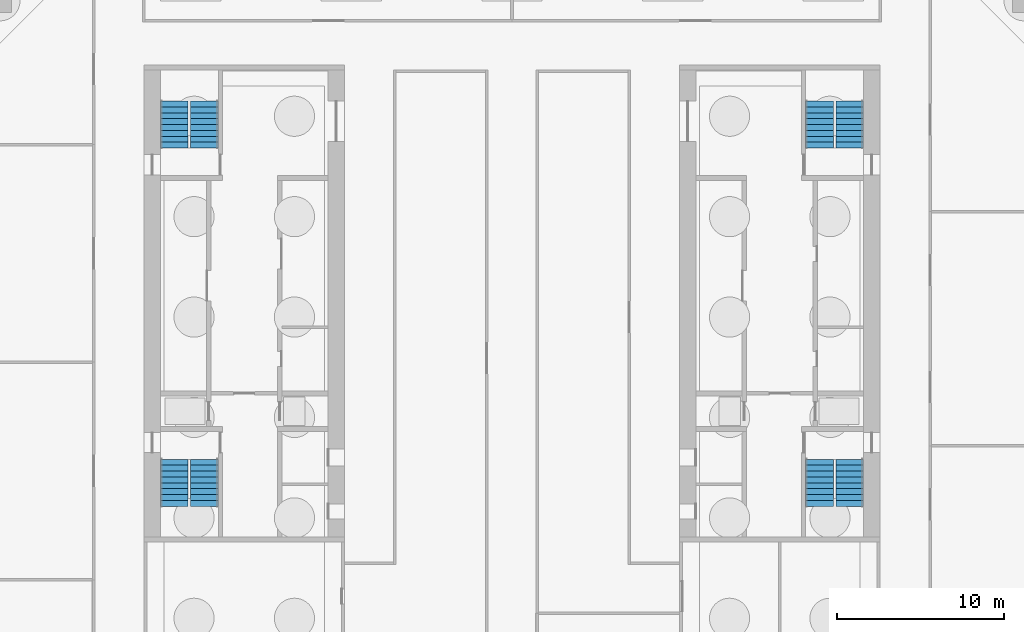
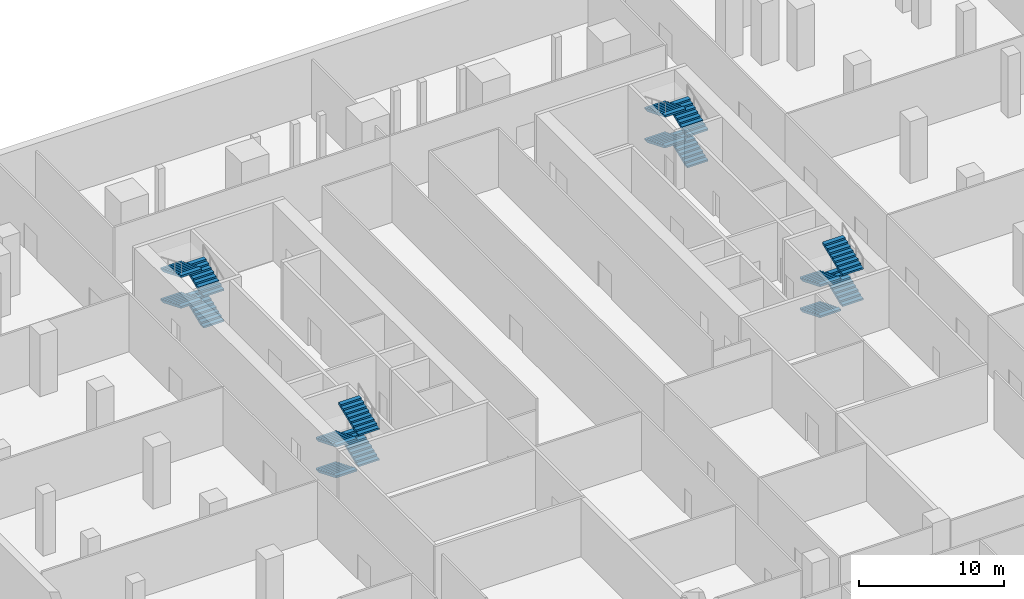
# One storey, part 12 of 14: 16 stair flights, 4 elements without a shape of their own.
"""IFC4 building model written with IfcOpenShell, lengths in metres."""

from ifc_helpers import new_model, si_unit, direction, frame, origin, place, context, subcontext, project, spatial, polyline, outline, extrude, material, type_object, element, aggregate, save


model = new_model("IFC4")

# Units and contexts
model_context = context("Model", 3, precision=1e-05, world=origin(), true_north=direction((0.0, 1.0)))
body_context = subcontext(model_context, "Body", "Model", "MODEL_VIEW")
ifc_project = project(units=[si_unit("LENGTHUNIT", "METRE"), si_unit("AREAUNIT", "SQUARE_METRE"), si_unit("VOLUMEUNIT", "CUBIC_METRE"), si_unit("PLANEANGLEUNIT", "RADIAN"), si_unit("MASSUNIT", "GRAM", prefix="KILO")], contexts=[model_context])

# Site, building, storey
site_placement = place(None, origin())
site = spatial("IfcSite", under=ifc_project, at=site_placement, CompositionType="ELEMENT")
building_placement = place(site_placement, origin())
building = spatial("IfcBuilding", under=site, at=building_placement, Name="Ogive Exchange Tower", CompositionType="ELEMENT")
storey_placement = place(building_placement, frame((0.0, 0.0, -10.39990234375)))
storey = spatial("IfcBuildingStorey", under=building, at=storey_placement, Name="B2", CompositionType="ELEMENT", Elevation=-10.39990234375)

# Stair, stair flights
ifc_material = material(Name="Concrete C40/50", Category="concrete")
stair_type = type_object("IfcStairType", Name="Exit stair 1650 wide", PredefinedType="HALF_TURN_STAIR", material=ifc_material)
stair_1_placement = place(storey_placement, origin())
stair_1 = element("IfcStair", 1, at=stair_1_placement, inside=storey, type_object=stair_type, Name="B2 exit stair ST1", PredefinedType="HALF_TURN_STAIR")
stair_flight_type = type_object("IfcStairFlightType", Name="Stair flight 1650 wide", PredefinedType="STRAIGHT", material=ifc_material)
stair_flight_1_placement = place(storey_placement, frame((-20.175048828125, 2.199951171875, 0.0), z_axis=(0.0, 0.0, 1.0), x_axis=(0.0, -1.0, 0.0)))
stair_flight_1 = element("IfcStairFlight", 2, at=stair_flight_1_placement, type_object=stair_flight_type, Name="ST1 flight 1", NumberOfRisers=9, NumberOfTreads=8, PredefinedType="STRAIGHT", RiserHeight=0.144444444, TreadLength=0.351, context=body_context, shape_type="SweptSolid", body=[
    extrude(outline(polyline([(0.0, 0.0), (0.0, 0.14453125), (0.35107421875, 0.14453125), (0.35107421875, 0.288818359375), (0.701904296875, 0.288818359375), (0.701904296875, 0.433349609375), (1.052978515625, 0.433349609375), (1.052978515625, 0.577880859375), (1.404052734375, 0.577880859375), (1.404052734375, 0.72216796875), (1.7548828125, 0.72216796875), (1.7548828125, 0.86669921875), (2.10595703125, 0.86669921875), (2.10595703125, 1.01123046875), (2.45703125, 1.01123046875), (2.45703125, 1.155517578125), (2.80810546875, 1.155517578125), (2.80810546875, 1.300048828125), (2.80810546875, 0.993408203125), (0.393798828125, 0.0), (0.0, 0.0)])), frame((0.0, 0.824951171875, 0.0), z_axis=(0.0, -1.0, 0.0), x_axis=(1.0, 0.0, 0.0)), (0.0, 0.0, 1.0), 1.64990234375),
])
stair_flight_2_placement = place(storey_placement, frame((-18.375, -0.60791015625, 1.2998046875), z_axis=(0.0, 0.0, 1.0), x_axis=(0.0, 1.0, 0.0)))
stair_flight_2 = element("IfcStairFlight", 3, at=stair_flight_2_placement, type_object=stair_flight_type, Name="ST1 flight 2", NumberOfRisers=9, NumberOfTreads=8, PredefinedType="STRAIGHT", RiserHeight=0.144444444, TreadLength=0.351, context=body_context, shape_type="SweptSolid", body=[
    extrude(outline(polyline([(0.0, 0.0), (0.0, 0.14453125), (0.35107421875, 0.14453125), (0.35107421875, 0.288818359375), (0.701904296875, 0.288818359375), (0.701904296875, 0.433349609375), (1.052978515625, 0.433349609375), (1.052978515625, 0.577880859375), (1.404052734375, 0.577880859375), (1.404052734375, 0.72216796875), (1.7548828125, 0.72216796875), (1.7548828125, 0.86669921875), (2.10595703125, 0.86669921875), (2.10595703125, 1.01123046875), (2.45703125, 1.01123046875), (2.45703125, 1.155517578125), (2.80810546875, 1.155517578125), (2.80810546875, 1.300048828125), (2.80810546875, 0.993408203125), (0.393798828125, 0.0), (0.0, 0.0)])), frame((0.0, 0.824951171875, 0.0), z_axis=(0.0, -1.0, 0.0), x_axis=(1.0, 0.0, 0.0)), (0.0, 0.0, 1.0), 1.64990234375),
])
stair_flight_3_placement = place(storey_placement, frame((-20.175048828125, 2.199951171875, 2.599853515625), z_axis=(0.0, 0.0, 1.0), x_axis=(0.0, -1.0, 0.0)))
stair_flight_3 = element("IfcStairFlight", 4, at=stair_flight_3_placement, type_object=stair_flight_type, Name="ST1 flight 3", NumberOfRisers=9, NumberOfTreads=8, PredefinedType="STRAIGHT", RiserHeight=0.144444444, TreadLength=0.351, context=body_context, shape_type="SweptSolid", body=[
    extrude(outline(polyline([(0.0, 0.0), (0.0, 0.14453125), (0.35107421875, 0.14453125), (0.35107421875, 0.288818359375), (0.701904296875, 0.288818359375), (0.701904296875, 0.433349609375), (1.052978515625, 0.433349609375), (1.052978515625, 0.577880859375), (1.404052734375, 0.577880859375), (1.404052734375, 0.72216796875), (1.7548828125, 0.72216796875), (1.7548828125, 0.86669921875), (2.10595703125, 0.86669921875), (2.10595703125, 1.01123046875), (2.45703125, 1.01123046875), (2.45703125, 1.155517578125), (2.80810546875, 1.155517578125), (2.80810546875, 1.300048828125), (2.80810546875, 0.993408203125), (0.393798828125, 0.0), (0.0, 0.0)])), frame((0.0, 0.824951171875, 0.0), z_axis=(0.0, -1.0, 0.0), x_axis=(1.0, 0.0, 0.0)), (0.0, 0.0, 1.0), 1.64990234375),
])
stair_flight_4_placement = place(storey_placement, frame((-18.375, -0.60791015625, 3.89990234375), z_axis=(0.0, 0.0, 1.0), x_axis=(0.0, 1.0, 0.0)))
stair_flight_4 = element("IfcStairFlight", 5, at=stair_flight_4_placement, type_object=stair_flight_type, Name="ST1 flight 4", NumberOfRisers=9, NumberOfTreads=8, PredefinedType="STRAIGHT", RiserHeight=0.144444444, TreadLength=0.351, context=body_context, shape_type="SweptSolid", body=[
    extrude(outline(polyline([(0.0, 0.0), (0.0, 0.14453125), (0.35107421875, 0.14453125), (0.35107421875, 0.288818359375), (0.701904296875, 0.288818359375), (0.701904296875, 0.433349609375), (1.052978515625, 0.433349609375), (1.052978515625, 0.577880859375), (1.404052734375, 0.577880859375), (1.404052734375, 0.72216796875), (1.7548828125, 0.72216796875), (1.7548828125, 0.86669921875), (2.10595703125, 0.86669921875), (2.10595703125, 1.01123046875), (2.45703125, 1.01123046875), (2.45703125, 1.155517578125), (2.80810546875, 1.155517578125), (2.80810546875, 1.300048828125), (2.80810546875, 0.993408203125), (0.393798828125, 0.0), (0.0, 0.0)])), frame((0.0, 0.824951171875, 0.0), z_axis=(0.0, -1.0, 0.0), x_axis=(1.0, 0.0, 0.0)), (0.0, 0.0, 1.0), 1.64990234375),
])
aggregate(stair_1, [stair_flight_1, stair_flight_2, stair_flight_3, stair_flight_4])

stair_2_placement = place(storey_placement, origin())
stair_2 = element("IfcStair", 6, at=stair_2_placement, inside=storey, type_object=stair_type, Name="B2 exit stair ST2", PredefinedType="HALF_TURN_STAIR")
stair_flight_5_placement = place(storey_placement, frame((-18.375, 20.800048828125, 0.0), z_axis=(0.0, 0.0, 1.0), x_axis=(0.0, 1.0, 0.0)))
stair_flight_5 = element("IfcStairFlight", 7, at=stair_flight_5_placement, type_object=stair_flight_type, Name="ST2 flight 1", NumberOfRisers=9, NumberOfTreads=8, PredefinedType="STRAIGHT", RiserHeight=0.144444444, TreadLength=0.351, context=body_context, shape_type="SweptSolid", body=[
    extrude(outline(polyline([(0.0, 0.0), (0.0, 0.14453125), (0.35107421875, 0.14453125), (0.35107421875, 0.288818359375), (0.701904296875, 0.288818359375), (0.701904296875, 0.433349609375), (1.052978515625, 0.433349609375), (1.052978515625, 0.577880859375), (1.404052734375, 0.577880859375), (1.404052734375, 0.72216796875), (1.7548828125, 0.72216796875), (1.7548828125, 0.86669921875), (2.10595703125, 0.86669921875), (2.10595703125, 1.01123046875), (2.45703125, 1.01123046875), (2.45703125, 1.155517578125), (2.80810546875, 1.155517578125), (2.80810546875, 1.300048828125), (2.80810546875, 0.993408203125), (0.393798828125, 0.0), (0.0, 0.0)])), frame((0.0, 0.824951171875, 0.0), z_axis=(0.0, -1.0, 0.0), x_axis=(1.0, 0.0, 0.0)), (0.0, 0.0, 1.0), 1.64990234375),
])
stair_flight_6_placement = place(storey_placement, frame((-20.175048828125, 23.60791015625, 1.2998046875), z_axis=(0.0, 0.0, 1.0), x_axis=(0.0, -1.0, 0.0)))
stair_flight_6 = element("IfcStairFlight", 8, at=stair_flight_6_placement, type_object=stair_flight_type, Name="ST2 flight 2", NumberOfRisers=9, NumberOfTreads=8, PredefinedType="STRAIGHT", RiserHeight=0.144444444, TreadLength=0.351, context=body_context, shape_type="SweptSolid", body=[
    extrude(outline(polyline([(0.0, 0.0), (0.0, 0.14453125), (0.35107421875, 0.14453125), (0.35107421875, 0.288818359375), (0.701904296875, 0.288818359375), (0.701904296875, 0.433349609375), (1.052978515625, 0.433349609375), (1.052978515625, 0.577880859375), (1.404052734375, 0.577880859375), (1.404052734375, 0.72216796875), (1.7548828125, 0.72216796875), (1.7548828125, 0.86669921875), (2.10595703125, 0.86669921875), (2.10595703125, 1.01123046875), (2.45703125, 1.01123046875), (2.45703125, 1.155517578125), (2.80810546875, 1.155517578125), (2.80810546875, 1.300048828125), (2.80810546875, 0.993408203125), (0.393798828125, 0.0), (0.0, 0.0)])), frame((0.0, 0.824951171875, 0.0), z_axis=(0.0, -1.0, 0.0), x_axis=(1.0, 0.0, 0.0)), (0.0, 0.0, 1.0), 1.64990234375),
])
stair_flight_7_placement = place(storey_placement, frame((-18.375, 20.800048828125, 2.599853515625), z_axis=(0.0, 0.0, 1.0), x_axis=(0.0, 1.0, 0.0)))
stair_flight_7 = element("IfcStairFlight", 9, at=stair_flight_7_placement, type_object=stair_flight_type, Name="ST2 flight 3", NumberOfRisers=9, NumberOfTreads=8, PredefinedType="STRAIGHT", RiserHeight=0.144444444, TreadLength=0.351, context=body_context, shape_type="SweptSolid", body=[
    extrude(outline(polyline([(0.0, 0.0), (0.0, 0.14453125), (0.35107421875, 0.14453125), (0.35107421875, 0.288818359375), (0.701904296875, 0.288818359375), (0.701904296875, 0.433349609375), (1.052978515625, 0.433349609375), (1.052978515625, 0.577880859375), (1.404052734375, 0.577880859375), (1.404052734375, 0.72216796875), (1.7548828125, 0.72216796875), (1.7548828125, 0.86669921875), (2.10595703125, 0.86669921875), (2.10595703125, 1.01123046875), (2.45703125, 1.01123046875), (2.45703125, 1.155517578125), (2.80810546875, 1.155517578125), (2.80810546875, 1.300048828125), (2.80810546875, 0.993408203125), (0.393798828125, 0.0), (0.0, 0.0)])), frame((0.0, 0.824951171875, 0.0), z_axis=(0.0, -1.0, 0.0), x_axis=(1.0, 0.0, 0.0)), (0.0, 0.0, 1.0), 1.64990234375),
])
stair_flight_8_placement = place(storey_placement, frame((-20.175048828125, 23.60791015625, 3.89990234375), z_axis=(0.0, 0.0, 1.0), x_axis=(0.0, -1.0, 0.0)))
stair_flight_8 = element("IfcStairFlight", 10, at=stair_flight_8_placement, type_object=stair_flight_type, Name="ST2 flight 4", NumberOfRisers=9, NumberOfTreads=8, PredefinedType="STRAIGHT", RiserHeight=0.144444444, TreadLength=0.351, context=body_context, shape_type="SweptSolid", body=[
    extrude(outline(polyline([(0.0, 0.0), (0.0, 0.14453125), (0.35107421875, 0.14453125), (0.35107421875, 0.288818359375), (0.701904296875, 0.288818359375), (0.701904296875, 0.433349609375), (1.052978515625, 0.433349609375), (1.052978515625, 0.577880859375), (1.404052734375, 0.577880859375), (1.404052734375, 0.72216796875), (1.7548828125, 0.72216796875), (1.7548828125, 0.86669921875), (2.10595703125, 0.86669921875), (2.10595703125, 1.01123046875), (2.45703125, 1.01123046875), (2.45703125, 1.155517578125), (2.80810546875, 1.155517578125), (2.80810546875, 1.300048828125), (2.80810546875, 0.993408203125), (0.393798828125, 0.0), (0.0, 0.0)])), frame((0.0, 0.824951171875, 0.0), z_axis=(0.0, -1.0, 0.0), x_axis=(1.0, 0.0, 0.0)), (0.0, 0.0, 1.0), 1.64990234375),
])
aggregate(stair_2, [stair_flight_5, stair_flight_6, stair_flight_7, stair_flight_8])

stair_3_placement = place(storey_placement, origin())
stair_3 = element("IfcStair", 11, at=stair_3_placement, inside=storey, type_object=stair_type, Name="B2 exit stair ST3", PredefinedType="HALF_TURN_STAIR")
stair_flight_9_placement = place(storey_placement, frame((18.375, 2.199951171875, 0.0), z_axis=(0.0, 0.0, 1.0), x_axis=(0.0, -1.0, 0.0)))
stair_flight_9 = element("IfcStairFlight", 12, at=stair_flight_9_placement, type_object=stair_flight_type, Name="ST3 flight 1", NumberOfRisers=9, NumberOfTreads=8, PredefinedType="STRAIGHT", RiserHeight=0.144444444, TreadLength=0.351, context=body_context, shape_type="SweptSolid", body=[
    extrude(outline(polyline([(0.0, 0.0), (0.0, 0.14453125), (0.35107421875, 0.14453125), (0.35107421875, 0.288818359375), (0.701904296875, 0.288818359375), (0.701904296875, 0.433349609375), (1.052978515625, 0.433349609375), (1.052978515625, 0.577880859375), (1.404052734375, 0.577880859375), (1.404052734375, 0.72216796875), (1.7548828125, 0.72216796875), (1.7548828125, 0.86669921875), (2.10595703125, 0.86669921875), (2.10595703125, 1.01123046875), (2.45703125, 1.01123046875), (2.45703125, 1.155517578125), (2.80810546875, 1.155517578125), (2.80810546875, 1.300048828125), (2.80810546875, 0.993408203125), (0.393798828125, 0.0), (0.0, 0.0)])), frame((0.0, 0.824951171875, 0.0), z_axis=(0.0, -1.0, 0.0), x_axis=(1.0, 0.0, 0.0)), (0.0, 0.0, 1.0), 1.64990234375),
])
stair_flight_10_placement = place(storey_placement, frame((20.175048828125, -0.60791015625, 1.2998046875), z_axis=(0.0, 0.0, 1.0), x_axis=(0.0, 1.0, 0.0)))
stair_flight_10 = element("IfcStairFlight", 13, at=stair_flight_10_placement, type_object=stair_flight_type, Name="ST3 flight 2", NumberOfRisers=9, NumberOfTreads=8, PredefinedType="STRAIGHT", RiserHeight=0.144444444, TreadLength=0.351, context=body_context, shape_type="SweptSolid", body=[
    extrude(outline(polyline([(0.0, 0.0), (0.0, 0.14453125), (0.35107421875, 0.14453125), (0.35107421875, 0.288818359375), (0.701904296875, 0.288818359375), (0.701904296875, 0.433349609375), (1.052978515625, 0.433349609375), (1.052978515625, 0.577880859375), (1.404052734375, 0.577880859375), (1.404052734375, 0.72216796875), (1.7548828125, 0.72216796875), (1.7548828125, 0.86669921875), (2.10595703125, 0.86669921875), (2.10595703125, 1.01123046875), (2.45703125, 1.01123046875), (2.45703125, 1.155517578125), (2.80810546875, 1.155517578125), (2.80810546875, 1.300048828125), (2.80810546875, 0.993408203125), (0.393798828125, 0.0), (0.0, 0.0)])), frame((0.0, 0.824951171875, 0.0), z_axis=(0.0, -1.0, 0.0), x_axis=(1.0, 0.0, 0.0)), (0.0, 0.0, 1.0), 1.64990234375),
])
stair_flight_11_placement = place(storey_placement, frame((18.375, 2.199951171875, 2.599853515625), z_axis=(0.0, 0.0, 1.0), x_axis=(0.0, -1.0, 0.0)))
stair_flight_11 = element("IfcStairFlight", 14, at=stair_flight_11_placement, type_object=stair_flight_type, Name="ST3 flight 3", NumberOfRisers=9, NumberOfTreads=8, PredefinedType="STRAIGHT", RiserHeight=0.144444444, TreadLength=0.351, context=body_context, shape_type="SweptSolid", body=[
    extrude(outline(polyline([(0.0, 0.0), (0.0, 0.14453125), (0.35107421875, 0.14453125), (0.35107421875, 0.288818359375), (0.701904296875, 0.288818359375), (0.701904296875, 0.433349609375), (1.052978515625, 0.433349609375), (1.052978515625, 0.577880859375), (1.404052734375, 0.577880859375), (1.404052734375, 0.72216796875), (1.7548828125, 0.72216796875), (1.7548828125, 0.86669921875), (2.10595703125, 0.86669921875), (2.10595703125, 1.01123046875), (2.45703125, 1.01123046875), (2.45703125, 1.155517578125), (2.80810546875, 1.155517578125), (2.80810546875, 1.300048828125), (2.80810546875, 0.993408203125), (0.393798828125, 0.0), (0.0, 0.0)])), frame((0.0, 0.824951171875, 0.0), z_axis=(0.0, -1.0, 0.0), x_axis=(1.0, 0.0, 0.0)), (0.0, 0.0, 1.0), 1.64990234375),
])
stair_flight_12_placement = place(storey_placement, frame((20.175048828125, -0.60791015625, 3.89990234375), z_axis=(0.0, 0.0, 1.0), x_axis=(0.0, 1.0, 0.0)))
stair_flight_12 = element("IfcStairFlight", 15, at=stair_flight_12_placement, type_object=stair_flight_type, Name="ST3 flight 4", NumberOfRisers=9, NumberOfTreads=8, PredefinedType="STRAIGHT", RiserHeight=0.144444444, TreadLength=0.351, context=body_context, shape_type="SweptSolid", body=[
    extrude(outline(polyline([(0.0, 0.0), (0.0, 0.14453125), (0.35107421875, 0.14453125), (0.35107421875, 0.288818359375), (0.701904296875, 0.288818359375), (0.701904296875, 0.433349609375), (1.052978515625, 0.433349609375), (1.052978515625, 0.577880859375), (1.404052734375, 0.577880859375), (1.404052734375, 0.72216796875), (1.7548828125, 0.72216796875), (1.7548828125, 0.86669921875), (2.10595703125, 0.86669921875), (2.10595703125, 1.01123046875), (2.45703125, 1.01123046875), (2.45703125, 1.155517578125), (2.80810546875, 1.155517578125), (2.80810546875, 1.300048828125), (2.80810546875, 0.993408203125), (0.393798828125, 0.0), (0.0, 0.0)])), frame((0.0, 0.824951171875, 0.0), z_axis=(0.0, -1.0, 0.0), x_axis=(1.0, 0.0, 0.0)), (0.0, 0.0, 1.0), 1.64990234375),
])
aggregate(stair_3, [stair_flight_9, stair_flight_10, stair_flight_11, stair_flight_12])

stair_4_placement = place(storey_placement, origin())
stair_4 = element("IfcStair", 16, at=stair_4_placement, inside=storey, type_object=stair_type, Name="B2 exit stair ST4", PredefinedType="HALF_TURN_STAIR")
stair_flight_13_placement = place(storey_placement, frame((20.175048828125, 20.800048828125, 0.0), z_axis=(0.0, 0.0, 1.0), x_axis=(0.0, 1.0, 0.0)))
stair_flight_13 = element("IfcStairFlight", 17, at=stair_flight_13_placement, type_object=stair_flight_type, Name="ST4 flight 1", NumberOfRisers=9, NumberOfTreads=8, PredefinedType="STRAIGHT", RiserHeight=0.144444444, TreadLength=0.351, context=body_context, shape_type="SweptSolid", body=[
    extrude(outline(polyline([(0.0, 0.0), (0.0, 0.14453125), (0.35107421875, 0.14453125), (0.35107421875, 0.288818359375), (0.701904296875, 0.288818359375), (0.701904296875, 0.433349609375), (1.052978515625, 0.433349609375), (1.052978515625, 0.577880859375), (1.404052734375, 0.577880859375), (1.404052734375, 0.72216796875), (1.7548828125, 0.72216796875), (1.7548828125, 0.86669921875), (2.10595703125, 0.86669921875), (2.10595703125, 1.01123046875), (2.45703125, 1.01123046875), (2.45703125, 1.155517578125), (2.80810546875, 1.155517578125), (2.80810546875, 1.300048828125), (2.80810546875, 0.993408203125), (0.393798828125, 0.0), (0.0, 0.0)])), frame((0.0, 0.824951171875, 0.0), z_axis=(0.0, -1.0, 0.0), x_axis=(1.0, 0.0, 0.0)), (0.0, 0.0, 1.0), 1.64990234375),
])
stair_flight_14_placement = place(storey_placement, frame((18.375, 23.60791015625, 1.2998046875), z_axis=(0.0, 0.0, 1.0), x_axis=(0.0, -1.0, 0.0)))
stair_flight_14 = element("IfcStairFlight", 18, at=stair_flight_14_placement, type_object=stair_flight_type, Name="ST4 flight 2", NumberOfRisers=9, NumberOfTreads=8, PredefinedType="STRAIGHT", RiserHeight=0.144444444, TreadLength=0.351, context=body_context, shape_type="SweptSolid", body=[
    extrude(outline(polyline([(0.0, 0.0), (0.0, 0.14453125), (0.35107421875, 0.14453125), (0.35107421875, 0.288818359375), (0.701904296875, 0.288818359375), (0.701904296875, 0.433349609375), (1.052978515625, 0.433349609375), (1.052978515625, 0.577880859375), (1.404052734375, 0.577880859375), (1.404052734375, 0.72216796875), (1.7548828125, 0.72216796875), (1.7548828125, 0.86669921875), (2.10595703125, 0.86669921875), (2.10595703125, 1.01123046875), (2.45703125, 1.01123046875), (2.45703125, 1.155517578125), (2.80810546875, 1.155517578125), (2.80810546875, 1.300048828125), (2.80810546875, 0.993408203125), (0.393798828125, 0.0), (0.0, 0.0)])), frame((0.0, 0.824951171875, 0.0), z_axis=(0.0, -1.0, 0.0), x_axis=(1.0, 0.0, 0.0)), (0.0, 0.0, 1.0), 1.64990234375),
])
stair_flight_15_placement = place(storey_placement, frame((20.175048828125, 20.800048828125, 2.599853515625), z_axis=(0.0, 0.0, 1.0), x_axis=(0.0, 1.0, 0.0)))
stair_flight_15 = element("IfcStairFlight", 19, at=stair_flight_15_placement, type_object=stair_flight_type, Name="ST4 flight 3", NumberOfRisers=9, NumberOfTreads=8, PredefinedType="STRAIGHT", RiserHeight=0.144444444, TreadLength=0.351, context=body_context, shape_type="SweptSolid", body=[
    extrude(outline(polyline([(0.0, 0.0), (0.0, 0.14453125), (0.35107421875, 0.14453125), (0.35107421875, 0.288818359375), (0.701904296875, 0.288818359375), (0.701904296875, 0.433349609375), (1.052978515625, 0.433349609375), (1.052978515625, 0.577880859375), (1.404052734375, 0.577880859375), (1.404052734375, 0.72216796875), (1.7548828125, 0.72216796875), (1.7548828125, 0.86669921875), (2.10595703125, 0.86669921875), (2.10595703125, 1.01123046875), (2.45703125, 1.01123046875), (2.45703125, 1.155517578125), (2.80810546875, 1.155517578125), (2.80810546875, 1.300048828125), (2.80810546875, 0.993408203125), (0.393798828125, 0.0), (0.0, 0.0)])), frame((0.0, 0.824951171875, 0.0), z_axis=(0.0, -1.0, 0.0), x_axis=(1.0, 0.0, 0.0)), (0.0, 0.0, 1.0), 1.64990234375),
])
stair_flight_16_placement = place(storey_placement, frame((18.375, 23.60791015625, 3.89990234375), z_axis=(0.0, 0.0, 1.0), x_axis=(0.0, -1.0, 0.0)))
stair_flight_16 = element("IfcStairFlight", 20, at=stair_flight_16_placement, type_object=stair_flight_type, Name="ST4 flight 4", NumberOfRisers=9, NumberOfTreads=8, PredefinedType="STRAIGHT", RiserHeight=0.144444444, TreadLength=0.351, context=body_context, shape_type="SweptSolid", body=[
    extrude(outline(polyline([(0.0, 0.0), (0.0, 0.14453125), (0.35107421875, 0.14453125), (0.35107421875, 0.288818359375), (0.701904296875, 0.288818359375), (0.701904296875, 0.433349609375), (1.052978515625, 0.433349609375), (1.052978515625, 0.577880859375), (1.404052734375, 0.577880859375), (1.404052734375, 0.72216796875), (1.7548828125, 0.72216796875), (1.7548828125, 0.86669921875), (2.10595703125, 0.86669921875), (2.10595703125, 1.01123046875), (2.45703125, 1.01123046875), (2.45703125, 1.155517578125), (2.80810546875, 1.155517578125), (2.80810546875, 1.300048828125), (2.80810546875, 0.993408203125), (0.393798828125, 0.0), (0.0, 0.0)])), frame((0.0, 0.824951171875, 0.0), z_axis=(0.0, -1.0, 0.0), x_axis=(1.0, 0.0, 0.0)), (0.0, 0.0, 1.0), 1.64990234375),
])
aggregate(stair_4, [stair_flight_13, stair_flight_14, stair_flight_15, stair_flight_16])

save(model, "model.ifc")
